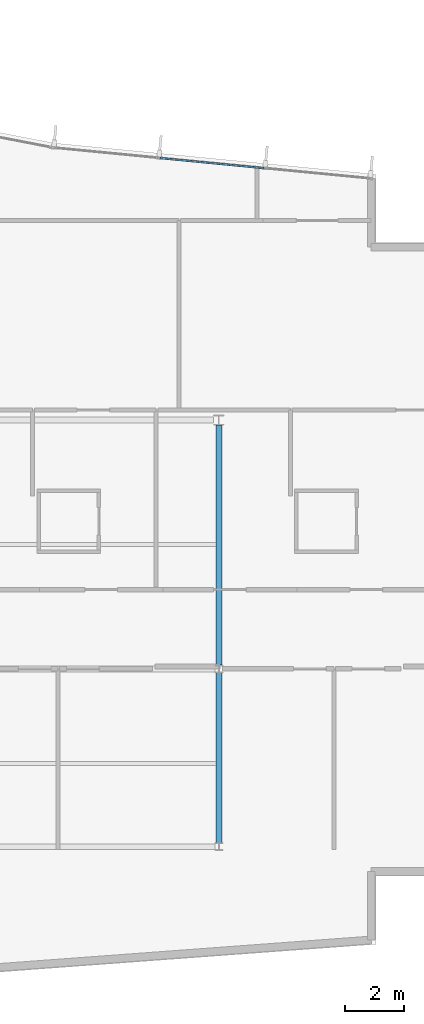
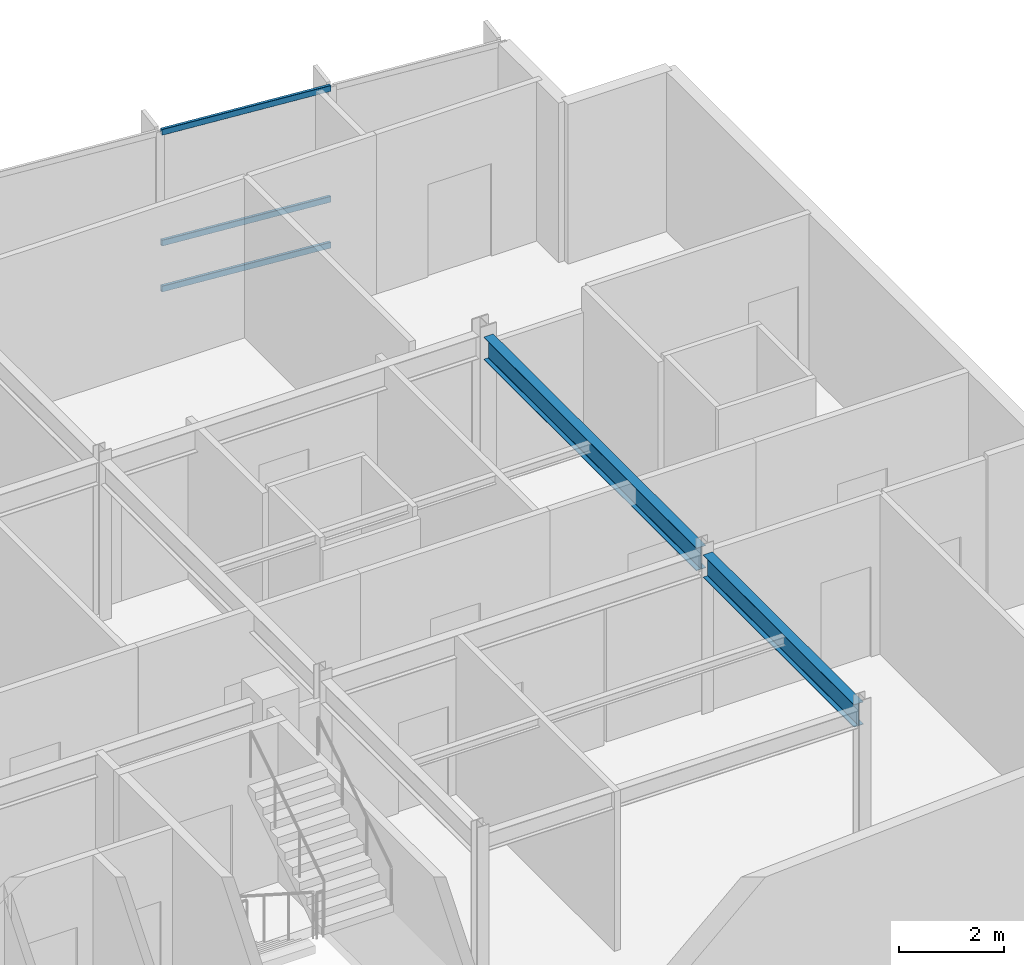
# One storey, part 7 of 15: 3 members, 2 beams, 1 element without a shape of its own.
"""IFC4 building model written with IfcOpenShell, lengths in metres."""

import ifcopenshell
import ifcopenshell.guid

model = None  # the IFC model being written
_history = None  # IfcOwnerHistory: only IFC2X3 demands one
_inside = {}  # id of a spatial element -> (the spatial element, [elements in it])
_under = {}  # id of a project, library or spatial element -> (it, [spatial elements below it])
_declared = {}  # id of a project -> (the project, [libraries it declares])
_typed = {}  # id of a type object -> (the type object, [elements of that type])
_made_of = {}  # id of a material, layer set ... -> (it, [elements and type objects made of it])


def new_model(schema):
    """Start an empty IFC model of exactly this schema.

    Asked for "IFC4X3", IfcOpenShell would pick the latest addendum, in which some entities
    have other attributes; the version numbers below select the first issue.
    IFC2X3 requires an IfcOwnerHistory on every rooted entity: one is made here for all.
    """
    global model, _history
    if schema == "IFC4X3":
        model = ifcopenshell.file(schema_version=(4, 3, 0, 0))
    else:
        model = ifcopenshell.file(schema=schema)
    _inside.clear()
    _under.clear()
    _declared.clear()
    _typed.clear()
    _made_of.clear()
    _history = None
    if model.schema == "IFC2X3":
        org = make("IfcOrganization", Name="unknown")
        user = make(
            "IfcPersonAndOrganization",
            ThePerson=make("IfcPerson", FamilyName="unknown"),
            TheOrganization=org,
        )
        app = make(
            "IfcApplication",
            ApplicationDeveloper=org,
            Version="unknown",
            ApplicationFullName="unknown",
            ApplicationIdentifier="unknown",
        )
        _history = make(
            "IfcOwnerHistory",
            OwningUser=user,
            OwningApplication=app,
            ChangeAction="ADDED",
            CreationDate=0,
        )
    return model


def make(cls, **values):
    """One entity of the class cls with the attributes given. An attribute that is None is left unset."""
    return model.create_entity(
        cls, **{name: value for name, value in values.items() if value is not None}
    )


def rooted(cls, **values):
    """An entity with a GlobalId (a new one), such as an element, a storey or a relation."""
    return make(cls, GlobalId=ifcopenshell.guid.new(), OwnerHistory=_history, **values)


def si_unit(unit_type, name, prefix=None):
    """IfcSIUnit, for example si_unit("LENGTHUNIT", "METRE", prefix="MILLI")."""
    return make("IfcSIUnit", UnitType=unit_type, Prefix=prefix, Name=name)


def assignment(units):
    """IfcUnitAssignment: the units of a project."""
    return None if units is None else make("IfcUnitAssignment", Units=units)


def point(xyz):
    """IfcCartesianPoint."""
    return None if xyz is None else make("IfcCartesianPoint", Coordinates=xyz)


def direction(xyz):
    """IfcDirection."""
    return None if xyz is None else make("IfcDirection", DirectionRatios=xyz)


def frame(location, z_axis=None, x_axis=None):
    """IfcAxis2Placement3D, a coordinate frame: its origin and axes. An axis left out is left unset."""
    return make(
        "IfcAxis2Placement3D",
        Location=point(location),
        Axis=direction(z_axis),
        RefDirection=direction(x_axis),
    )


def frame_2d(location, x_axis=None):
    """IfcAxis2Placement2D, a coordinate frame in the plane: its origin and x axis."""
    return make(
        "IfcAxis2Placement2D", Location=point(location), RefDirection=direction(x_axis)
    )


def origin():
    """The frame at (0, 0, 0) with its axes left unset."""
    return frame((0.0, 0.0, 0.0))


def origin_2d():
    """The frame at (0, 0) in the plane with its x axis left unset."""
    return frame_2d((0.0, 0.0))


def place(relative_to, where):
    """IfcLocalPlacement: puts the frame where relative to a parent placement (None: the world)."""
    return make(
        "IfcLocalPlacement", PlacementRelTo=relative_to, RelativePlacement=where
    )


def context(
    kind, dimensions, precision=None, world=None, true_north=None, identifier=None
):
    """IfcGeometricRepresentationContext, for example the 3D "Model" context."""
    return make(
        "IfcGeometricRepresentationContext",
        ContextIdentifier=identifier,
        ContextType=kind,
        CoordinateSpaceDimension=dimensions,
        Precision=precision,
        WorldCoordinateSystem=world,
        TrueNorth=true_north,
    )


def subcontext(parent, identifier, kind, view, scale=None):
    """IfcGeometricRepresentationSubContext, for example "Body" below "Model"."""
    return make(
        "IfcGeometricRepresentationSubContext",
        ContextIdentifier=identifier,
        ContextType=kind,
        ParentContext=parent,
        TargetScale=scale,
        TargetView=view,
    )


def project(units=None, contexts=None):
    """IfcProject with its units and contexts."""
    return rooted(
        "IfcProject",
        Name="project",
        RepresentationContexts=contexts,
        UnitsInContext=assignment(units),
    )


def spatial(cls, under=None, at=None, **own):
    """A site, building, storey or space (cls), placed at a placement, below another one or the project."""
    s = rooted(cls, ObjectPlacement=at, **own)
    if under is not None:
        _under.setdefault(under.id(), (under, []))[1].append(s)
    return s


def profile(cls, at=None, kind="AREA", **sizes):
    """A parametric profile (cls). Its sizes go by their IFC names, for example OverallWidth=200.0."""
    return make(cls, ProfileType=kind, Position=at, **sizes)


def hollow_rectangle(**sizes):
    """IfcRectangleHollowProfileDef."""
    return profile("IfcRectangleHollowProfileDef", **sizes)


def i_section(**sizes):
    """IfcIShapeProfileDef."""
    return profile("IfcIShapeProfileDef", **sizes)


def extrude(swept, where, along, depth):
    """IfcExtrudedAreaSolid: the profile swept, set in the frame where, extruded along a direction by depth."""
    return make(
        "IfcExtrudedAreaSolid",
        SweptArea=swept,
        Position=where,
        ExtrudedDirection=direction(along),
        Depth=depth,
    )


def shape(context_of_items, identifier, shape_type, items):
    """IfcShapeRepresentation: the items that make up one representation, for example the "Body"."""
    return make(
        "IfcShapeRepresentation",
        ContextOfItems=context_of_items,
        RepresentationIdentifier=identifier,
        RepresentationType=shape_type,
        Items=items,
    )


def material(Name=None, Category=None):
    """IfcMaterial."""
    return make("IfcMaterial", Name=Name, Category=Category)


def layer(
    of_material, thickness, ventilated=None, Name=None, Category=None, Priority=None
):
    """IfcMaterialLayer: one layer of a wall or slab, of a material (None: an air gap)."""
    return make(
        "IfcMaterialLayer",
        Material=of_material,
        LayerThickness=thickness,
        IsVentilated=ventilated,
        Name=Name,
        Category=Category,
        Priority=Priority,
    )


def layer_set(layers, Name=None):
    """IfcMaterialLayerSet."""
    return make("IfcMaterialLayerSet", MaterialLayers=layers, LayerSetName=Name)


def material_profile(
    of_material, cross_section, Name=None, Category=None, Priority=None
):
    """IfcMaterialProfile: a cross section and its material."""
    return make(
        "IfcMaterialProfile",
        Name=Name,
        Material=of_material,
        Profile=cross_section,
        Priority=Priority,
        Category=Category,
    )


def profile_set(profiles, Name=None, composite=None):
    """IfcMaterialProfileSet."""
    return make(
        "IfcMaterialProfileSet",
        Name=Name,
        MaterialProfiles=profiles,
        CompositeProfile=composite,
    )


def made_of(thing, what):
    """Note that an element or type object is made of a material, layer set ...; save() writes the relation."""
    if what is not None:
        _made_of.setdefault(what.id(), (what, []))[1].append(thing)
    return thing


def type_object(cls, material=None, **own):
    """A type object (cls), such as IfcWallType, which elements share."""
    return made_of(rooted(cls, **own), material)


def element(
    cls,
    number,
    at=None,
    inside=None,
    cuts=None,
    type_object=None,
    material=None,
    context=None,
    identifier="Body",
    shape_type=None,
    held_by="IfcProductDefinitionShape",
    body=None,
    shapes=None,
    **own,
):
    """One element of the class cls, such as IfcWall. Its Tag is "e" and its number.

    at: its placement. inside: the storey or other place that contains it. cuts: it is an
    opening in that element (IfcRelVoidsElement). A single representation is given by context,
    identifier, shape_type and body (its items); several are given by shapes. held_by: the class
    of the entity that holds the representations. save() writes the other relations.
    """
    e = rooted(cls, Tag="e%d" % number, ObjectPlacement=at, **own)
    if body is not None:
        shapes = [shape(context, identifier, shape_type, body)]
    if shapes is not None:
        e.Representation = make(held_by, Representations=shapes)
    if inside is not None:
        _inside.setdefault(inside.id(), (inside, []))[1].append(e)
    if cuts is not None:
        rooted(
            "IfcRelVoidsElement", RelatingBuildingElement=cuts, RelatedOpeningElement=e
        )
    if type_object is not None:
        _typed.setdefault(type_object.id(), (type_object, []))[1].append(e)
    return made_of(e, material)


def aggregate(whole, parts):
    """IfcRelAggregates: a whole, such as a stair, and the parts it consists of."""
    return rooted("IfcRelAggregates", RelatingObject=whole, RelatedObjects=parts)


def save(model, path):
    """Write the relations noted so far, then the file.

    IfcRelAggregates (storeys below a building ...), IfcRelContainedInSpatialStructure (elements
    in a storey), IfcRelDefinesByType, IfcRelAssociatesMaterial and IfcRelDeclares: one each for
    every whole, place, type object, material and project.
    """
    for whole, parts in _under.values():
        aggregate(whole, parts)
    for where, things in _inside.values():
        rooted(
            "IfcRelContainedInSpatialStructure",
            RelatedElements=things,
            RelatingStructure=where,
        )
    for kind, things in _typed.values():
        rooted("IfcRelDefinesByType", RelatedObjects=things, RelatingType=kind)
    for what, things in _made_of.values():
        rooted("IfcRelAssociatesMaterial", RelatedObjects=things, RelatingMaterial=what)
    for by, libraries in _declared.values():
        rooted("IfcRelDeclares", RelatingContext=by, RelatedDefinitions=libraries)
    model.write(path)


model = new_model("IFC4")

# Units and contexts
model_context = context("Model", 3, precision=1e-05, world=origin(), true_north=direction((0.0, 1.0)))
body_context = subcontext(model_context, "Body", "Model", "MODEL_VIEW")
ifc_project = project(units=[si_unit("LENGTHUNIT", "METRE"), si_unit("AREAUNIT", "SQUARE_METRE"), si_unit("VOLUMEUNIT", "CUBIC_METRE"), si_unit("PLANEANGLEUNIT", "RADIAN"), si_unit("MASSUNIT", "GRAM", prefix="KILO")], contexts=[model_context])

# Site, building, storey
site_placement = place(None, origin())
site = spatial("IfcSite", under=ifc_project, at=site_placement, CompositionType="ELEMENT")
building_placement = place(site_placement, origin())
building = spatial("IfcBuilding", under=site, at=building_placement, Name="Varnakote Quay Hospital", CompositionType="ELEMENT")
storey_placement = place(building_placement, frame((0.0, 0.0, 276.300048828125)))
storey = spatial("IfcBuildingStorey", under=building, at=storey_placement, Name="L68", CompositionType="ELEMENT", Elevation=276.300048828125)

# Beams
ifc_material_1 = material(Name="Structural steel AS/NZS 3679.1 Grade 350 L0 (fy 340 MPa)", Category="steel")
ifc_material_profile_1 = material_profile(ifc_material_1, i_section(OverallWidth=0.208984375, OverallDepth=0.528076171875, WebThickness=0.009521484375, FlangeThickness=0.01318359375, FilletRadius=0.013916015625, at=origin_2d()), Name="530UB82.0")
ifc_profile_set_1 = profile_set([ifc_material_profile_1], Name="Structural steel AS/NZS 3679.1 Grade 350 L0 (fy 340 MPa)")
beam_type = type_object("IfcBeamType", Name="BM-STL-530UB82-0", PredefinedType="BEAM", material=ifc_profile_set_1)
beam_1_placement = place(storey_placement, frame((33.60009765625, 6.126953125, 3.446044921875), z_axis=(0.0, 1.0, 0.0), x_axis=(-1.0, 0.0, 0.0)))
element("IfcBeam", 1, at=beam_1_placement, inside=storey, type_object=beam_type, Name="L68 Primary Tie Beam", PredefinedType="BEAM", context=body_context, shape_type="SweptSolid", body=[
    extrude(i_section(OverallWidth=0.208984375, OverallDepth=0.528076171875, WebThickness=0.009521484375, FlangeThickness=0.01318359375, FilletRadius=0.013916015625, at=origin_2d()), origin(), (0.0, 0.0, 1.0), 5.74609375),
])
beam_2_placement = place(storey_placement, frame((33.60009765625, 12.126953125, 3.446044921875), z_axis=(0.0, 1.0, 0.0), x_axis=(-1.0, 0.0, 0.0)))
element("IfcBeam", 2, at=beam_2_placement, inside=storey, type_object=beam_type, Name="L68 Primary Tie Beam", PredefinedType="BEAM", context=body_context, shape_type="SweptSolid", body=[
    extrude(i_section(OverallWidth=0.208984375, OverallDepth=0.528076171875, WebThickness=0.009521484375, FlangeThickness=0.01318359375, FilletRadius=0.013916015625, at=origin_2d()), origin(), (0.0, 0.0, 1.0), 8.10302734375),
])

# Curtain wall, members
ifc_material_2 = material(Name="Anodised aluminium 6063-T6 Bronze", Category="aluminium")
ifc_layer = layer(ifc_material_2, 0.235107421875)
ifc_layer_set = layer_set([ifc_layer], Name="Anodised aluminium 6063-T6 Bronze")
curtain_wall_type = type_object("IfcCurtainWallType", Name="CW-SYS-5", PredefinedType="NOTDEFINED", material=ifc_layer_set)
curtain_wall_placement = place(storey_placement, origin())
curtain_wall = element("IfcCurtainWall", 3, at=curtain_wall_placement, inside=storey, type_object=curtain_wall_type, Name="L68 Unitised Bronze Curtain Wall 1", PredefinedType="NOTDEFINED")
ifc_material_3 = material(Name="Anodised aluminium 6063-T6 Bronze", Category="aluminium")
ifc_material_profile_2 = material_profile(ifc_material_3, hollow_rectangle(XDim=0.06494140625, YDim=0.139892578125, WallThickness=0.00390625, InnerFilletRadius=0.00390625, OuterFilletRadius=0.007568359375, at=origin_2d()), Name="CW-TRAN-140x65")
ifc_profile_set_2 = profile_set([ifc_material_profile_2], Name="Anodised aluminium 6063-T6 Bronze")
member_type = type_object("IfcMemberType", Name="CW-TRAN-140x65", PredefinedType="USERDEFINED", material=ifc_profile_set_2)
member_1_placement = place(storey_placement, frame((35.125244140625, 28.905517578125, 0.032470703125), z_axis=(-0.99532562518, 0.09657587618, 0.0), x_axis=(-0.09657587618, -0.99532562518, 0.0)))
member_1 = element("IfcMember", 4, at=member_1_placement, type_object=member_type, Name="-5-L68-1 transom 2.1", ObjectType="TRANSOM", PredefinedType="USERDEFINED", context=body_context, shape_type="SweptSolid", body=[
    extrude(hollow_rectangle(XDim=0.06494140625, YDim=0.139892578125, WallThickness=0.00390625, InnerFilletRadius=0.00390625, OuterFilletRadius=0.007568359375, at=origin_2d()), origin(), (0.0, 0.0, 1.0), 3.5341796875),
])
member_2_placement = place(storey_placement, frame((35.125244140625, 28.905517578125, 1.099853515625), z_axis=(-0.99532562518, 0.09657587618, 0.0), x_axis=(-0.09657587618, -0.99532562518, 0.0)))
member_2 = element("IfcMember", 5, at=member_2_placement, type_object=member_type, Name="-5-L68-1 transom 2.2", ObjectType="TRANSOM", PredefinedType="USERDEFINED", context=body_context, shape_type="SweptSolid", body=[
    extrude(hollow_rectangle(XDim=0.06494140625, YDim=0.139892578125, WallThickness=0.00390625, InnerFilletRadius=0.00390625, OuterFilletRadius=0.007568359375, at=origin_2d()), origin(), (0.0, 0.0, 1.0), 3.5341796875),
])
member_3_placement = place(storey_placement, frame((35.125244140625, 28.905517578125, 3.677490234375), z_axis=(-0.99532562518, 0.09657587618, 0.0), x_axis=(-0.09657587618, -0.99532562518, 0.0)))
member_3 = element("IfcMember", 6, at=member_3_placement, type_object=member_type, Name="-5-L68-1 transom 2.3", ObjectType="TRANSOM", PredefinedType="USERDEFINED", context=body_context, shape_type="SweptSolid", body=[
    extrude(hollow_rectangle(XDim=0.06494140625, YDim=0.139892578125, WallThickness=0.00390625, InnerFilletRadius=0.00390625, OuterFilletRadius=0.007568359375, at=origin_2d()), origin(), (0.0, 0.0, 1.0), 3.5341796875),
])
aggregate(curtain_wall, [member_1, member_2, member_3])

save(model, "model.ifc")
